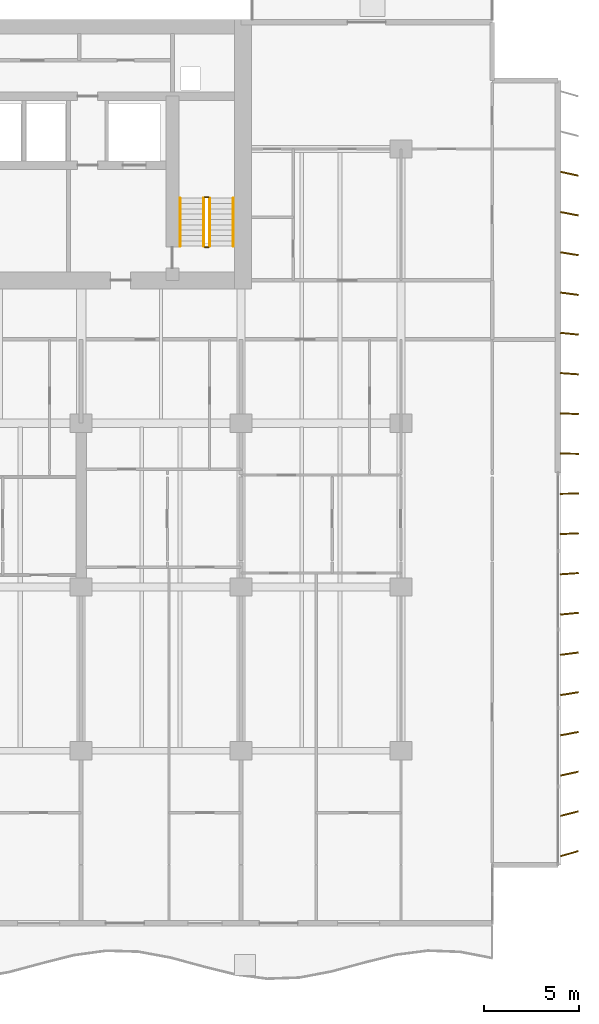
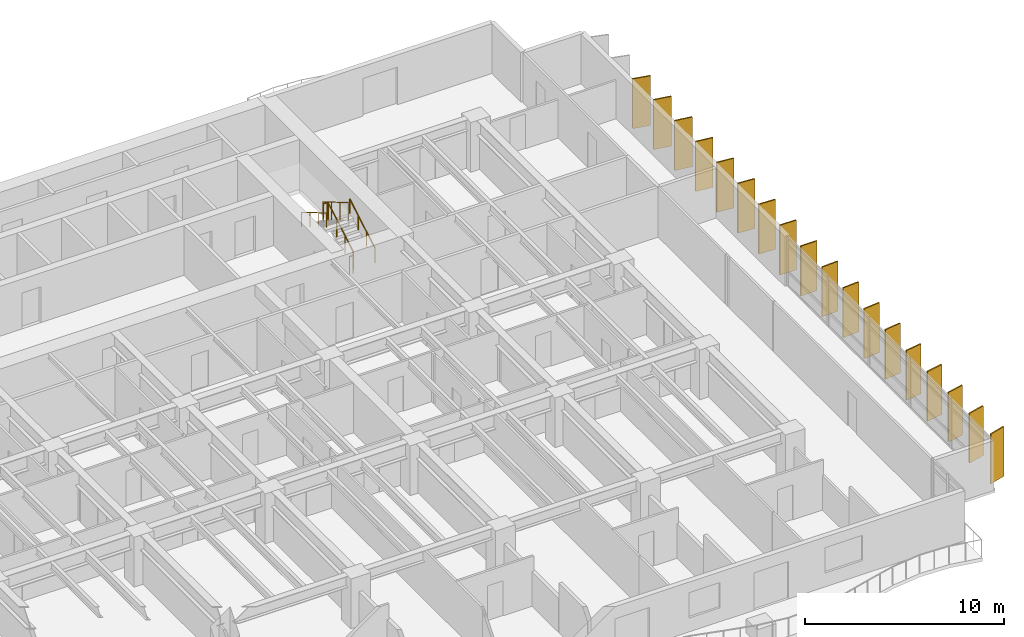
# One storey, part 16 of 17: 18 shading devices, 6 railings.
"""IFC4 building model written with IfcOpenShell, lengths in metres."""

from ifc_helpers import new_model, si_unit, direction, frame, origin, origin_2d, place, context, subcontext, project, spatial, rectangle, circle, extrude, material, material_profile, profile_set, type_object, element, save


model = new_model("IFC4")

# Units and contexts
model_context = context("Model", 3, precision=1e-05, world=origin(), true_north=direction((0.0, 1.0)))
body_context = subcontext(model_context, "Body", "Model", "MODEL_VIEW")
ifc_project = project(units=[si_unit("LENGTHUNIT", "METRE"), si_unit("AREAUNIT", "SQUARE_METRE"), si_unit("VOLUMEUNIT", "CUBIC_METRE"), si_unit("PLANEANGLEUNIT", "RADIAN"), si_unit("MASSUNIT", "GRAM", prefix="KILO")], contexts=[model_context])

# Site, building, storey
site_placement = place(None, origin())
site = spatial("IfcSite", under=ifc_project, at=site_placement, CompositionType="ELEMENT")
building_placement = place(site_placement, origin())
building = spatial("IfcBuilding", under=site, at=building_placement, Name="Caelmar Bay Residences", CompositionType="ELEMENT")
storey_placement = place(building_placement, frame((0.0, 0.0, 59.699951171875)))
storey = spatial("IfcBuildingStorey", under=building, at=storey_placement, Name="L15", CompositionType="ELEMENT", Elevation=59.699951171875)

# Railings
ifc_material_1 = material(Name="Painted galvanized steel stair guard 1100 mm", Category="steel")
railing_type_1 = type_object("IfcRailingType", Name="RL-GRD-1100", PredefinedType="GUARDRAIL", material=ifc_material_1)
railing_1_placement = place(storey_placement, frame((57.85009765625, 38.699951171875, 0.1650390625)))
element("IfcRailing", 1, at=railing_1_placement, inside=storey, type_object=railing_type_1, Name="L15 ST2 stair guard 1", PredefinedType="GUARDRAIL", context=body_context, shape_type="SweptSolid", body=[
    extrude(circle(Radius=0.02392578125, at=origin_2d()), frame((0.0, 0.0, 1.076171875), z_axis=(0.0, 0.86152411907, 0.507716645641), x_axis=(-1.0, 0.0, 0.0)), (0.0, 0.0, 1.0), 2.925048828125),
    extrude(circle(Radius=0.02099609375, at=origin_2d()), origin(), (0.0, 0.0, 1.0), 1.052001953125),
    extrude(circle(Radius=0.02099609375, at=origin_2d()), frame((0.0, 0.840087890625, 0.4951171875)), (0.0, 0.0, 1.0), 1.052001953125),
    extrude(circle(Radius=0.02099609375, at=origin_2d()), frame((0.0, 1.679931640625, 0.989990234375)), (0.0, 0.0, 1.0), 1.052001953125),
    extrude(circle(Radius=0.02099609375, at=origin_2d()), frame((0.0, 2.52001953125, 1.485107421875)), (0.0, 0.0, 1.0), 1.052001953125),
])
railing_2_placement = place(storey_placement, frame((57.800048828125, 41.27001953125, 1.650146484375)))
element("IfcRailing", 2, at=railing_2_placement, inside=storey, type_object=railing_type_1, Name="L15 ST2 stair guard 2", PredefinedType="GUARDRAIL", context=body_context, shape_type="SweptSolid", body=[
    extrude(circle(Radius=0.02392578125, at=origin_2d()), frame((0.0, 0.0, 1.076171875), z_axis=(-1.0, 0.0, 0.0), x_axis=(0.0, -1.0, 0.0)), (0.0, 0.0, 1.0), 0.199951171875),
    extrude(circle(Radius=0.02099609375, at=origin_2d()), origin(), (0.0, 0.0, 1.0), 1.052001953125),
    extrude(circle(Radius=0.02099609375, at=origin_2d()), frame((-0.199951171875, 0.0, 0.0)), (0.0, 0.0, 1.0), 1.052001953125),
])
railing_3_placement = place(storey_placement, frame((57.550048828125, 41.219970703125, 1.81494140625)))
element("IfcRailing", 3, at=railing_3_placement, inside=storey, type_object=railing_type_1, Name="L15 ST2 stair guard 3", PredefinedType="GUARDRAIL", context=body_context, shape_type="SweptSolid", body=[
    extrude(circle(Radius=0.02392578125, at=origin_2d()), frame((0.0, 0.0, 1.076171875), z_axis=(0.0, -0.86152411907, 0.507716645641), x_axis=(1.0, 0.0, 0.0)), (0.0, 0.0, 1.0), 2.925048828125),
    extrude(circle(Radius=0.02099609375, at=origin_2d()), origin(), (0.0, 0.0, 1.0), 1.052001953125),
    extrude(circle(Radius=0.02099609375, at=origin_2d()), frame((0.0, -0.840087890625, 0.4951171875)), (0.0, 0.0, 1.0), 1.052001953125),
    extrude(circle(Radius=0.02099609375, at=origin_2d()), frame((0.0, -1.679931640625, 0.989990234375)), (0.0, 0.0, 1.0), 1.052001953125),
    extrude(circle(Radius=0.02099609375, at=origin_2d()), frame((0.0, -2.52001953125, 1.485107421875)), (0.0, 0.0, 1.0), 1.052001953125),
])
railing_4_placement = place(storey_placement, frame((57.800048828125, 38.64990234375, 0.0)))
element("IfcRailing", 4, at=railing_4_placement, inside=storey, type_object=railing_type_1, Name="L15 ST2 stair guard 4", PredefinedType="GUARDRAIL", context=body_context, shape_type="SweptSolid", body=[
    extrude(circle(Radius=0.02392578125, at=origin_2d()), frame((0.0, 0.0, 1.076171875), z_axis=(-1.0, 0.0, 0.0), x_axis=(0.0, -1.0, 0.0)), (0.0, 0.0, 1.0), 0.199951171875),
    extrude(circle(Radius=0.02099609375, at=origin_2d()), origin(), (0.0, 0.0, 1.0), 1.052001953125),
    extrude(circle(Radius=0.02099609375, at=origin_2d()), frame((-0.199951171875, 0.0, 0.0)), (0.0, 0.0, 1.0), 1.052001953125),
])
ifc_material_2 = material(Name="Brushed bronze stainless-steel tubular handrail 900 mm", Category="steel")
railing_type_2 = type_object("IfcRailingType", Name="RL-HND-900", PredefinedType="HANDRAIL", material=ifc_material_2)
railing_5_placement = place(storey_placement, frame((59.10009765625, 38.699951171875, 0.1650390625)))
element("IfcRailing", 5, at=railing_5_placement, inside=storey, type_object=railing_type_2, Name="L15 ST2 stair handrail 1", PredefinedType="HANDRAIL", context=body_context, shape_type="SweptSolid", body=[
    extrude(circle(Radius=0.02392578125, at=origin_2d()), frame((0.0, 0.0, 0.8759765625), z_axis=(0.0, 0.86152411907, 0.507716645641), x_axis=(-1.0, 0.0, 0.0)), (0.0, 0.0, 1.0), 2.925048828125),
    extrude(circle(Radius=0.02099609375, at=origin_2d()), origin(), (0.0, 0.0, 1.0), 0.851806640625),
    extrude(circle(Radius=0.02099609375, at=origin_2d()), frame((0.0, 0.840087890625, 0.4951171875)), (0.0, 0.0, 1.0), 0.851806640625),
    extrude(circle(Radius=0.02099609375, at=origin_2d()), frame((0.0, 1.679931640625, 0.989990234375)), (0.0, 0.0, 1.0), 0.851806640625),
    extrude(circle(Radius=0.02099609375, at=origin_2d()), frame((0.0, 2.52001953125, 1.485107421875)), (0.0, 0.0, 1.0), 0.851806640625),
])
railing_6_placement = place(storey_placement, frame((56.300048828125, 41.219970703125, 1.81494140625)))
element("IfcRailing", 6, at=railing_6_placement, inside=storey, type_object=railing_type_2, Name="L15 ST2 stair handrail 2", PredefinedType="HANDRAIL", context=body_context, shape_type="SweptSolid", body=[
    extrude(circle(Radius=0.02392578125, at=origin_2d()), frame((0.0, 0.0, 0.8759765625), z_axis=(0.0, -0.86152411907, 0.507716645641), x_axis=(1.0, 0.0, 0.0)), (0.0, 0.0, 1.0), 2.925048828125),
    extrude(circle(Radius=0.02099609375, at=origin_2d()), origin(), (0.0, 0.0, 1.0), 0.851806640625),
    extrude(circle(Radius=0.02099609375, at=origin_2d()), frame((0.0, -0.840087890625, 0.4951171875)), (0.0, 0.0, 1.0), 0.851806640625),
    extrude(circle(Radius=0.02099609375, at=origin_2d()), frame((0.0, -1.679931640625, 0.989990234375)), (0.0, 0.0, 1.0), 0.851806640625),
    extrude(circle(Radius=0.02099609375, at=origin_2d()), frame((0.0, -2.52001953125, 1.485107421875)), (0.0, 0.0, 1.0), 0.851806640625),
])

# Shading devices
ifc_material_3 = material(Name="Anodised architectural bronze aluminium 6063-T6", Category="aluminium")
ifc_material_profile = material_profile(ifc_material_3, rectangle(XDim=0.074951171875, YDim=0.949951171875, at=origin_2d()), Name="BRONZE-FIN-75X950")
ifc_profile_set = profile_set([ifc_material_profile], Name="Anodised architectural bronze aluminium 6063-T6")
shading_device_type = type_object("IfcShadingDeviceType", Name="SHD-FIN-950", PredefinedType="USERDEFINED", material=ifc_profile_set)
for number, where, z_axis, x_axis, name in (
    (7, (76.75, 6.800048828125, 0.0), (0.0, 0.0, 1.0), (-0.275637355817, 0.961261695938, 0.0), "L15 East Bronze Solar Fin 1"),
    (8, (76.75, 8.89990234375, 0.0), (0.0, 0.0, 1.0), (-0.247337247968, 0.968929453452, 0.0), "L15 East Bronze Solar Fin 2"),
    (9, (76.75, 11.0, 0.0), (0.0, 0.0, 1.0), (-0.218654200292, 0.975802408633, 0.0), "L15 East Bronze Solar Fin 3"),
    (10, (76.75, 13.10009765625, 0.0), (0.0, 0.0, 1.0), (-0.189952291512, 0.981793321911, 0.0), "L15 East Bronze Solar Fin 4"),
    (11, (76.75, 15.199951171875, 0.0), (0.0, 0.0, 1.0), (-0.160914826518, 0.986968296657, 0.0), "L15 East Bronze Solar Fin 5"),
    (12, (76.75, 17.300048828125, 0.0), (0.0, 0.0, 1.0), (-0.131910382711, 0.991261646052, 0.0), "L15 East Bronze Solar Fin 6"),
    (13, (76.75, 19.39990234375, 0.0), (0.0, 0.0, 1.0), (-0.10261892683, 0.994720742649, 0.0), "L15 East Bronze Solar Fin 7"),
    (14, (76.75, 21.5, 0.0), (0.0, 0.0, 1.0), (-0.073412260224, 0.997301679558, 0.0), "L15 East Bronze Solar Fin 8"),
    (15, (76.75, 23.60009765625, 0.0), (0.0, 0.0, 1.0), (-0.044142481788, 0.999025245578, 0.0), "L15 East Bronze Solar Fin 9"),
    (16, (76.75, 25.699951171875, 0.0), (0.0, 0.0, 1.0), (-0.01466024053, 0.999892532899, 0.0), "L15 East Bronze Solar Fin 10"),
    (17, (76.75, 27.800048828125, 0.0), (0.0, 0.0, 1.0), (0.01466024053, 0.999892532899, 0.0), "L15 East Bronze Solar Fin 11"),
    (18, (76.75, 29.89990234375, 0.0), (0.0, 0.0, 1.0), (0.044142481788, 0.999025245578, 0.0), "L15 East Bronze Solar Fin 12"),
    (19, (76.75, 32.0, 0.0), (0.0, 0.0, 1.0), (0.073412260224, 0.997301679558, 0.0), "L15 East Bronze Solar Fin 13"),
    (20, (76.75, 34.10009765625, 0.0), (0.0, 0.0, 1.0), (0.10261892683, 0.994720742649, 0.0), "L15 East Bronze Solar Fin 14"),
    (21, (76.75, 36.199951171875, 0.0), (0.0, 0.0, 1.0), (0.131910382711, 0.991261646052, 0.0), "L15 East Bronze Solar Fin 15"),
    (22, (76.75, 38.300048828125, 0.0), (0.0, 0.0, 1.0), (0.160914826518, 0.986968296657, 0.0), "L15 East Bronze Solar Fin 16"),
    (23, (76.75, 40.39990234375, 0.0), (0.0, 0.0, 1.0), (0.189952291512, 0.981793321911, 0.0), "L15 East Bronze Solar Fin 17"),
    (24, (76.75, 42.5, 0.0), (0.0, 0.0, 1.0), (0.218654200292, 0.975802408633, 0.0), "L15 East Bronze Solar Fin 18"),
):
    element("IfcShadingDevice", number, at=place(storey_placement, frame(where, z_axis=z_axis, x_axis=x_axis)), inside=storey, type_object=shading_device_type, Name=name, ObjectType="FIN", PredefinedType="USERDEFINED", context=body_context, shape_type="SweptSolid", body=[
        extrude(rectangle(XDim=0.074951171875, YDim=0.949951171875, at=origin_2d()), origin(), (0.0, 0.0, 1.0), 3.050048828125),
    ])

save(model, "model.ifc")
